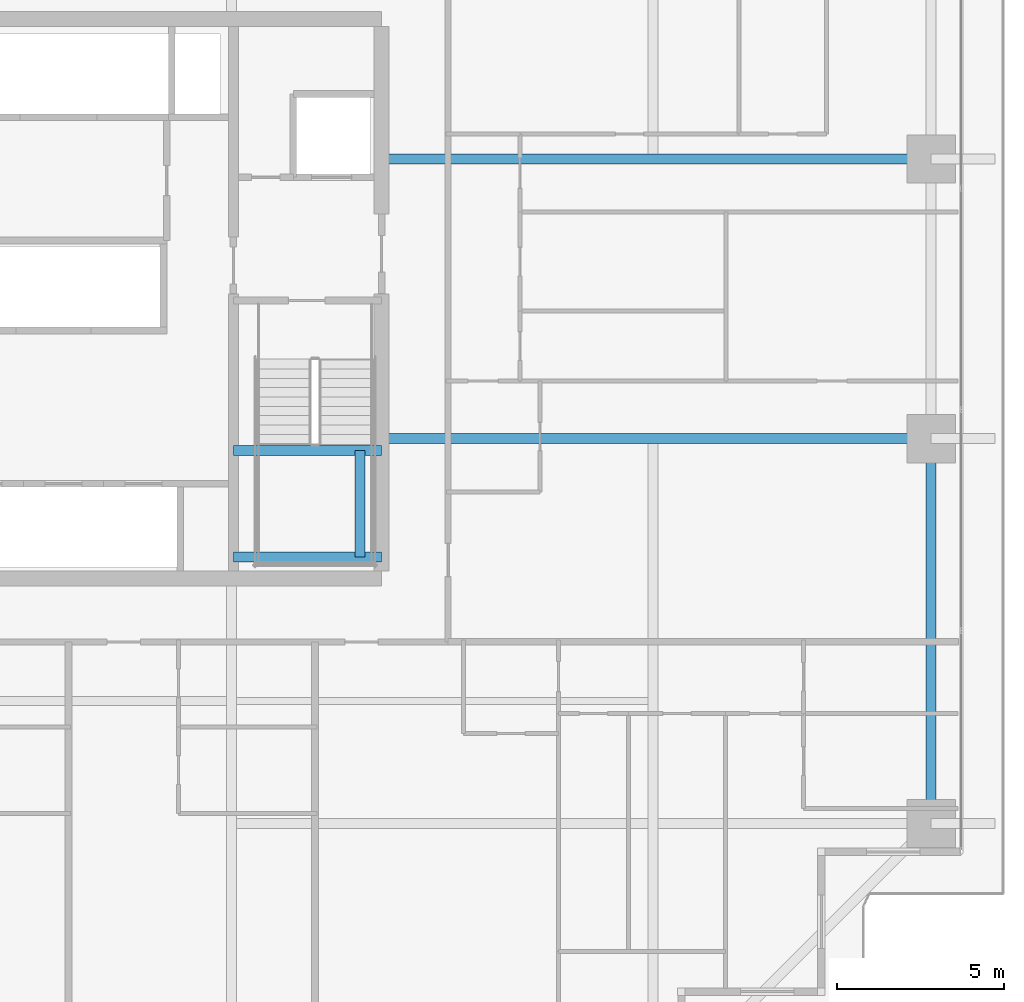
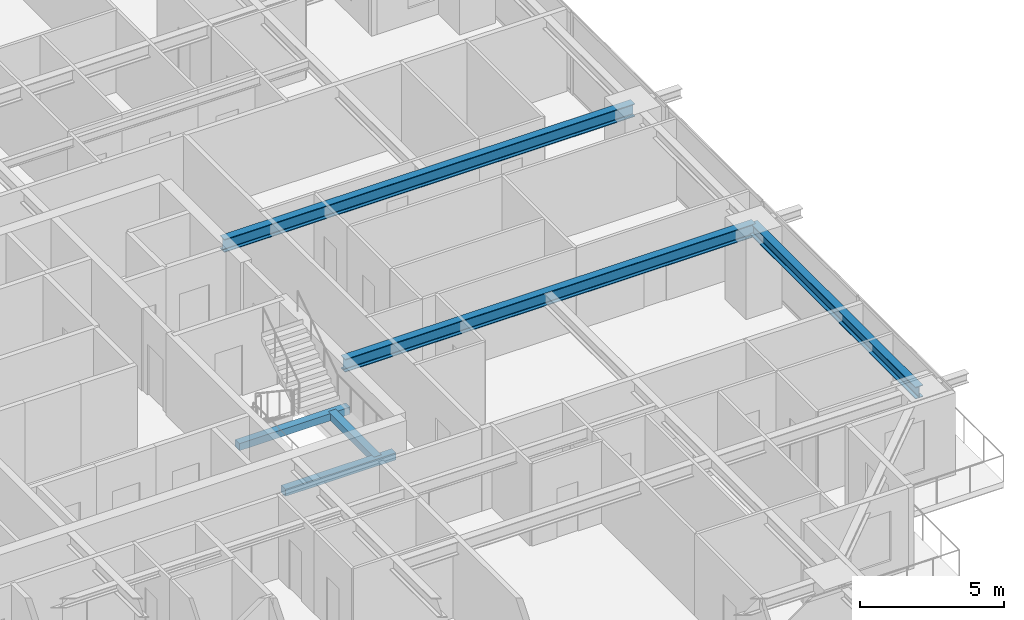
# One storey, part 13 of 36: 6 beams.
"""IFC4 building model written with IfcOpenShell, lengths in metres."""

from ifc_helpers import new_model, si_unit, direction, frame, origin, origin_2d, place, context, subcontext, project, spatial, rectangle, i_section, extrude, source, transform, mapped, material, material_profile, profile_set, type_object, element, save


model = new_model("IFC4")

# Units and contexts
model_context = context("Model", 3, precision=1e-05, world=origin(), true_north=direction((0.0, 1.0)))
body_context = subcontext(model_context, "Body", "Model", "MODEL_VIEW")
ifc_project = project(units=[si_unit("LENGTHUNIT", "METRE"), si_unit("AREAUNIT", "SQUARE_METRE"), si_unit("VOLUMEUNIT", "CUBIC_METRE"), si_unit("PLANEANGLEUNIT", "RADIAN"), si_unit("MASSUNIT", "GRAM", prefix="KILO")], contexts=[model_context])

# Site, building, storey
site_placement = place(None, origin())
site = spatial("IfcSite", under=ifc_project, at=site_placement, CompositionType="ELEMENT")
building_placement = place(site_placement, origin())
building = spatial("IfcBuilding", under=site, at=building_placement, Name="Serunith Strait Residences", CompositionType="ELEMENT")
storey_placement = place(building_placement, frame((0.0, 0.0, 86.699951171875)))
storey = spatial("IfcBuildingStorey", under=building, at=storey_placement, Name="L21", CompositionType="ELEMENT", Elevation=86.699951171875)

# Beams
ifc_material_1 = material(Name="Steel S355J2", Category="steel")
ifc_material_profile_1 = material_profile(ifc_material_1, i_section(OverallWidth=0.300048828125, OverallDepth=0.550048828125, WebThickness=0.014892578125, FlangeThickness=0.029052734375, FilletRadius=0.027099609375, at=origin_2d()), Name="HEB 550")
ifc_profile_set_1 = profile_set([ifc_material_profile_1], Name="Steel S355J2")
beam_type_1 = type_object("IfcBeamType", Name="BM-HEB550", PredefinedType="BEAM", material=ifc_profile_set_1)
shared_shape_1 = source(origin(), body_context, "Body", "SweptSolid", [
    extrude(i_section(OverallWidth=0.300048828125, OverallDepth=0.550048828125, WebThickness=0.014892578125, FlangeThickness=0.029052734375, FilletRadius=0.027099609375, at=origin_2d()), origin(), (0.0, 0.0, 1.0), 16.5),
])
for number, where, z_axis, x_axis, name in (
    (1, (41.39990234375, 21.0, 3.212158203125), (1.0, 0.0, 0.0), (0.0, 1.0, 0.0), "L21 Primary Floor Girder TC-E2"),
    (2, (41.39990234375, 29.39990234375, 3.212158203125), (1.0, 0.0, 0.0), (0.0, 1.0, 0.0), "L21 Primary Floor Girder TC-E3"),
):
    element("IfcBeam", number, at=place(storey_placement, frame(where, z_axis=z_axis, x_axis=x_axis)), inside=storey, type_object=beam_type_1, Name=name, PredefinedType="BEAM", context=body_context, shape_type="MappedRepresentation", body=[
        mapped(shared_shape_1, transform((0.0, 0.0, 0.0), scale=1.0)),
    ])
ifc_material_profile_2 = material_profile(ifc_material_1, i_section(OverallWidth=0.300048828125, OverallDepth=0.5, WebThickness=0.014404296875, FlangeThickness=0.028076171875, FilletRadius=0.027099609375, at=origin_2d()), Name="HEB 500")
ifc_profile_set_2 = profile_set([ifc_material_profile_2], Name="Steel S355J2")
beam_type_2 = type_object("IfcBeamType", Name="BM-HEB500", PredefinedType="BEAM", material=ifc_profile_set_2)
shared_shape_2 = source(origin(), body_context, "Body", "SweptSolid", [
    extrude(i_section(OverallWidth=0.300048828125, OverallDepth=0.5, WebThickness=0.014404296875, FlangeThickness=0.028076171875, FilletRadius=0.027099609375, at=origin_2d()), origin(), (0.0, 0.0, 1.0), 11.550048828125),
])
beam_1_placement = place(storey_placement, frame((57.89990234375, 9.449951171875, 3.237060546875), z_axis=(0.0, 1.0, 0.0), x_axis=(-1.0, 0.0, 0.0)))
element("IfcBeam", 3, at=beam_1_placement, inside=storey, type_object=beam_type_2, Name="L21 Perimeter Ring Beam 05", PredefinedType="BEAM", context=body_context, shape_type="MappedRepresentation", body=[
    mapped(shared_shape_2, transform((0.0, 0.0, 0.0), scale=1.0)),
])
ifc_material_2 = material(Name="Concrete C60/75", Category="concrete")
ifc_material_profile_3 = material_profile(ifc_material_2, rectangle(XDim=0.300048828125, YDim=0.300048828125, at=origin_2d()), Name="RC 300x300")
ifc_profile_set_3 = profile_set([ifc_material_profile_3], Name="Concrete C60/75")
beam_type_3 = type_object("IfcBeamType", Name="BM-LAND-300x300", PredefinedType="BEAM", material=ifc_profile_set_3)
shared_shape_3 = source(origin(), body_context, "Body", "SweptSolid", [
    extrude(rectangle(XDim=0.300048828125, YDim=0.300048828125, at=origin_2d()), origin(), (0.0, 0.0, 1.0), 3.199951171875),
])
beam_2_placement = place(storey_placement, frame((40.75, 17.449951171875, 1.525146484375), z_axis=(0.0, 1.0, 0.0), x_axis=(-1.0, 0.0, 0.0)))
element("IfcBeam", 4, at=beam_2_placement, inside=storey, type_object=beam_type_3, Name="L21 ST-2 Landing Transverse Tie Beam", PredefinedType="BEAM", context=body_context, shape_type="MappedRepresentation", body=[
    mapped(shared_shape_3, transform((0.0, 0.0, 0.0), scale=1.0)),
])
shared_shape_4 = source(origin(), body_context, "Body", "SweptSolid", [
    extrude(rectangle(XDim=0.300048828125, YDim=0.300048828125, at=origin_2d()), origin(), (0.0, 0.0, 1.0), 4.449951171875),
])
for number, where, z_axis, x_axis, name in (
    (5, (36.949951171875, 17.449951171875, 1.525146484375), (1.0, 0.0, 0.0), (0.0, 1.0, 0.0), "L21 ST-2 Landing Support Beam 1"),
    (6, (36.949951171875, 20.64990234375, 1.525146484375), (1.0, 0.0, 0.0), (0.0, 1.0, 0.0), "L21 ST-2 Landing Support Beam 2"),
):
    element("IfcBeam", number, at=place(storey_placement, frame(where, z_axis=z_axis, x_axis=x_axis)), inside=storey, type_object=beam_type_3, Name=name, PredefinedType="BEAM", context=body_context, shape_type="MappedRepresentation", body=[
        mapped(shared_shape_4, transform((0.0, 0.0, 0.0), scale=1.0)),
    ])

save(model, "model.ifc")
